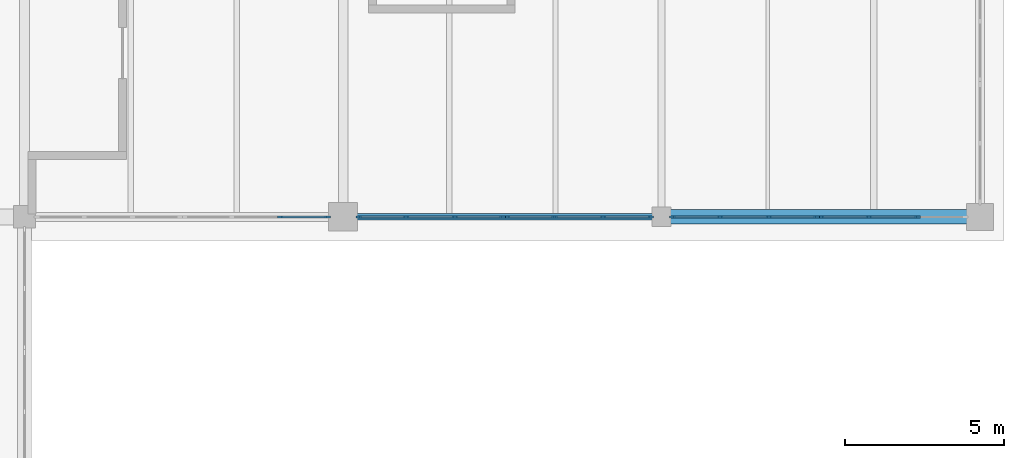
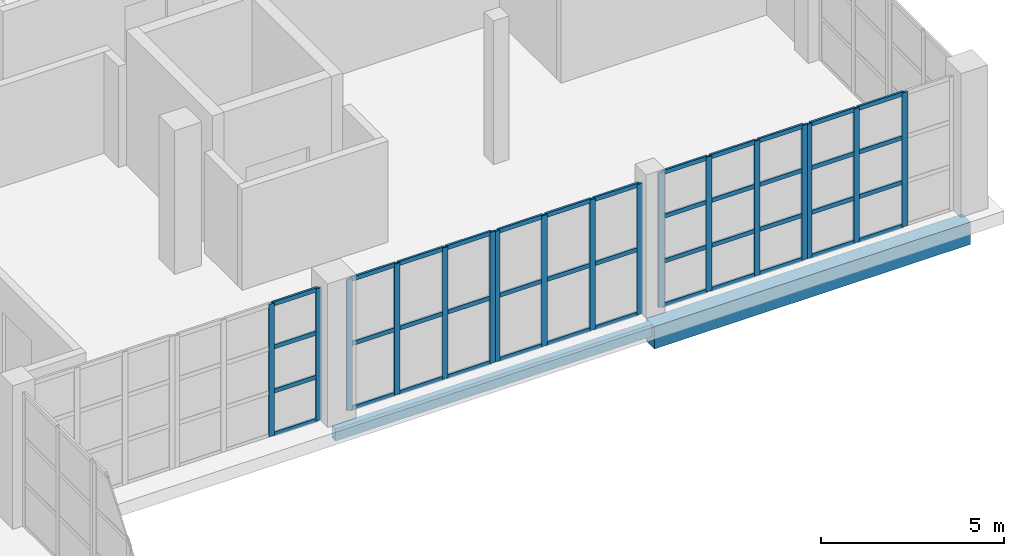
# One storey, part 64 of 121: 59 members, 2 beams, 5 elements without a shape of their own.
"""IFC4 building model written with IfcOpenShell, lengths in metres."""

import ifcopenshell
import ifcopenshell.guid

model = None  # the IFC model being written
_history = None  # IfcOwnerHistory: only IFC2X3 demands one
_inside = {}  # id of a spatial element -> (the spatial element, [elements in it])
_under = {}  # id of a project, library or spatial element -> (it, [spatial elements below it])
_declared = {}  # id of a project -> (the project, [libraries it declares])
_typed = {}  # id of a type object -> (the type object, [elements of that type])
_made_of = {}  # id of a material, layer set ... -> (it, [elements and type objects made of it])


def new_model(schema):
    """Start an empty IFC model of exactly this schema.

    Asked for "IFC4X3", IfcOpenShell would pick the latest addendum, in which some entities
    have other attributes; the version numbers below select the first issue.
    IFC2X3 requires an IfcOwnerHistory on every rooted entity: one is made here for all.
    """
    global model, _history
    if schema == "IFC4X3":
        model = ifcopenshell.file(schema_version=(4, 3, 0, 0))
    else:
        model = ifcopenshell.file(schema=schema)
    _inside.clear()
    _under.clear()
    _declared.clear()
    _typed.clear()
    _made_of.clear()
    _history = None
    if model.schema == "IFC2X3":
        org = make("IfcOrganization", Name="unknown")
        user = make(
            "IfcPersonAndOrganization",
            ThePerson=make("IfcPerson", FamilyName="unknown"),
            TheOrganization=org,
        )
        app = make(
            "IfcApplication",
            ApplicationDeveloper=org,
            Version="unknown",
            ApplicationFullName="unknown",
            ApplicationIdentifier="unknown",
        )
        _history = make(
            "IfcOwnerHistory",
            OwningUser=user,
            OwningApplication=app,
            ChangeAction="ADDED",
            CreationDate=0,
        )
    return model


def make(cls, **values):
    """One entity of the class cls with the attributes given. An attribute that is None is left unset."""
    return model.create_entity(
        cls, **{name: value for name, value in values.items() if value is not None}
    )


def rooted(cls, **values):
    """An entity with a GlobalId (a new one), such as an element, a storey or a relation."""
    return make(cls, GlobalId=ifcopenshell.guid.new(), OwnerHistory=_history, **values)


def si_unit(unit_type, name, prefix=None):
    """IfcSIUnit, for example si_unit("LENGTHUNIT", "METRE", prefix="MILLI")."""
    return make("IfcSIUnit", UnitType=unit_type, Prefix=prefix, Name=name)


def assignment(units):
    """IfcUnitAssignment: the units of a project."""
    return None if units is None else make("IfcUnitAssignment", Units=units)


def point(xyz):
    """IfcCartesianPoint."""
    return None if xyz is None else make("IfcCartesianPoint", Coordinates=xyz)


def direction(xyz):
    """IfcDirection."""
    return None if xyz is None else make("IfcDirection", DirectionRatios=xyz)


def frame(location, z_axis=None, x_axis=None):
    """IfcAxis2Placement3D, a coordinate frame: its origin and axes. An axis left out is left unset."""
    return make(
        "IfcAxis2Placement3D",
        Location=point(location),
        Axis=direction(z_axis),
        RefDirection=direction(x_axis),
    )


def frame_2d(location, x_axis=None):
    """IfcAxis2Placement2D, a coordinate frame in the plane: its origin and x axis."""
    return make(
        "IfcAxis2Placement2D", Location=point(location), RefDirection=direction(x_axis)
    )


def origin():
    """The frame at (0, 0, 0) with its axes left unset."""
    return frame((0.0, 0.0, 0.0))


def origin_2d():
    """The frame at (0, 0) in the plane with its x axis left unset."""
    return frame_2d((0.0, 0.0))


def place(relative_to, where):
    """IfcLocalPlacement: puts the frame where relative to a parent placement (None: the world)."""
    return make(
        "IfcLocalPlacement", PlacementRelTo=relative_to, RelativePlacement=where
    )


def context(
    kind, dimensions, precision=None, world=None, true_north=None, identifier=None
):
    """IfcGeometricRepresentationContext, for example the 3D "Model" context."""
    return make(
        "IfcGeometricRepresentationContext",
        ContextIdentifier=identifier,
        ContextType=kind,
        CoordinateSpaceDimension=dimensions,
        Precision=precision,
        WorldCoordinateSystem=world,
        TrueNorth=true_north,
    )


def subcontext(parent, identifier, kind, view, scale=None):
    """IfcGeometricRepresentationSubContext, for example "Body" below "Model"."""
    return make(
        "IfcGeometricRepresentationSubContext",
        ContextIdentifier=identifier,
        ContextType=kind,
        ParentContext=parent,
        TargetScale=scale,
        TargetView=view,
    )


def project(units=None, contexts=None):
    """IfcProject with its units and contexts."""
    return rooted(
        "IfcProject",
        Name="project",
        RepresentationContexts=contexts,
        UnitsInContext=assignment(units),
    )


def spatial(cls, under=None, at=None, **own):
    """A site, building, storey or space (cls), placed at a placement, below another one or the project."""
    s = rooted(cls, ObjectPlacement=at, **own)
    if under is not None:
        _under.setdefault(under.id(), (under, []))[1].append(s)
    return s


def profile(cls, at=None, kind="AREA", **sizes):
    """A parametric profile (cls). Its sizes go by their IFC names, for example OverallWidth=200.0."""
    return make(cls, ProfileType=kind, Position=at, **sizes)


def rectangle(**sizes):
    """IfcRectangleProfileDef."""
    return profile("IfcRectangleProfileDef", **sizes)


def hollow_rectangle(**sizes):
    """IfcRectangleHollowProfileDef."""
    return profile("IfcRectangleHollowProfileDef", **sizes)


def extrude(swept, where, along, depth):
    """IfcExtrudedAreaSolid: the profile swept, set in the frame where, extruded along a direction by depth."""
    return make(
        "IfcExtrudedAreaSolid",
        SweptArea=swept,
        Position=where,
        ExtrudedDirection=direction(along),
        Depth=depth,
    )


def shape(context_of_items, identifier, shape_type, items):
    """IfcShapeRepresentation: the items that make up one representation, for example the "Body"."""
    return make(
        "IfcShapeRepresentation",
        ContextOfItems=context_of_items,
        RepresentationIdentifier=identifier,
        RepresentationType=shape_type,
        Items=items,
    )


def material(Name=None, Category=None):
    """IfcMaterial."""
    return make("IfcMaterial", Name=Name, Category=Category)


def layer(
    of_material, thickness, ventilated=None, Name=None, Category=None, Priority=None
):
    """IfcMaterialLayer: one layer of a wall or slab, of a material (None: an air gap)."""
    return make(
        "IfcMaterialLayer",
        Material=of_material,
        LayerThickness=thickness,
        IsVentilated=ventilated,
        Name=Name,
        Category=Category,
        Priority=Priority,
    )


def layer_set(layers, Name=None):
    """IfcMaterialLayerSet."""
    return make("IfcMaterialLayerSet", MaterialLayers=layers, LayerSetName=Name)


def material_profile(
    of_material, cross_section, Name=None, Category=None, Priority=None
):
    """IfcMaterialProfile: a cross section and its material."""
    return make(
        "IfcMaterialProfile",
        Name=Name,
        Material=of_material,
        Profile=cross_section,
        Priority=Priority,
        Category=Category,
    )


def profile_set(profiles, Name=None, composite=None):
    """IfcMaterialProfileSet."""
    return make(
        "IfcMaterialProfileSet",
        Name=Name,
        MaterialProfiles=profiles,
        CompositeProfile=composite,
    )


def made_of(thing, what):
    """Note that an element or type object is made of a material, layer set ...; save() writes the relation."""
    if what is not None:
        _made_of.setdefault(what.id(), (what, []))[1].append(thing)
    return thing


def type_object(cls, material=None, **own):
    """A type object (cls), such as IfcWallType, which elements share."""
    return made_of(rooted(cls, **own), material)


def element(
    cls,
    number,
    at=None,
    inside=None,
    cuts=None,
    type_object=None,
    material=None,
    context=None,
    identifier="Body",
    shape_type=None,
    held_by="IfcProductDefinitionShape",
    body=None,
    shapes=None,
    **own,
):
    """One element of the class cls, such as IfcWall. Its Tag is "e" and its number.

    at: its placement. inside: the storey or other place that contains it. cuts: it is an
    opening in that element (IfcRelVoidsElement). A single representation is given by context,
    identifier, shape_type and body (its items); several are given by shapes. held_by: the class
    of the entity that holds the representations. save() writes the other relations.
    """
    e = rooted(cls, Tag="e%d" % number, ObjectPlacement=at, **own)
    if body is not None:
        shapes = [shape(context, identifier, shape_type, body)]
    if shapes is not None:
        e.Representation = make(held_by, Representations=shapes)
    if inside is not None:
        _inside.setdefault(inside.id(), (inside, []))[1].append(e)
    if cuts is not None:
        rooted(
            "IfcRelVoidsElement", RelatingBuildingElement=cuts, RelatedOpeningElement=e
        )
    if type_object is not None:
        _typed.setdefault(type_object.id(), (type_object, []))[1].append(e)
    return made_of(e, material)


def aggregate(whole, parts):
    """IfcRelAggregates: a whole, such as a stair, and the parts it consists of."""
    return rooted("IfcRelAggregates", RelatingObject=whole, RelatedObjects=parts)


def save(model, path):
    """Write the relations noted so far, then the file.

    IfcRelAggregates (storeys below a building ...), IfcRelContainedInSpatialStructure (elements
    in a storey), IfcRelDefinesByType, IfcRelAssociatesMaterial and IfcRelDeclares: one each for
    every whole, place, type object, material and project.
    """
    for whole, parts in _under.values():
        aggregate(whole, parts)
    for where, things in _inside.values():
        rooted(
            "IfcRelContainedInSpatialStructure",
            RelatedElements=things,
            RelatingStructure=where,
        )
    for kind, things in _typed.values():
        rooted("IfcRelDefinesByType", RelatedObjects=things, RelatingType=kind)
    for what, things in _made_of.values():
        rooted("IfcRelAssociatesMaterial", RelatedObjects=things, RelatingMaterial=what)
    for by, libraries in _declared.values():
        rooted("IfcRelDeclares", RelatingContext=by, RelatedDefinitions=libraries)
    model.write(path)


model = new_model("IFC4")

# Units and contexts
model_context = context("Model", 3, precision=1e-05, world=origin(), true_north=direction((0.0, 1.0)))
body_context = subcontext(model_context, "Body", "Model", "MODEL_VIEW")
ifc_project = project(units=[si_unit("LENGTHUNIT", "METRE"), si_unit("AREAUNIT", "SQUARE_METRE"), si_unit("VOLUMEUNIT", "CUBIC_METRE"), si_unit("PLANEANGLEUNIT", "RADIAN"), si_unit("MASSUNIT", "GRAM", prefix="KILO")], contexts=[model_context])

# Site, building, storey
site_placement = place(None, origin())
site = spatial("IfcSite", under=ifc_project, at=site_placement, CompositionType="ELEMENT")
building_placement = place(site_placement, origin())
building = spatial("IfcBuilding", under=site, at=building_placement, Name="Zereglee Splitstone Museum", CompositionType="ELEMENT")
storey_placement = place(building_placement, origin())
storey = spatial("IfcBuildingStorey", under=building, at=storey_placement, Name="L00", CompositionType="ELEMENT", Elevation=0.0)

# Curtain wall, members
ifc_material_1 = material(Name="Triple-glazed low-E argon glass and bronze-anodised aluminium", Category="aluminium")
ifc_layer_1 = layer(ifc_material_1, 0.179931640625)
ifc_layer_set_1 = layer_set([ifc_layer_1], Name="Triple-glazed low-E argon glass and bronze-anodised aluminium")
curtain_wall_type_1 = type_object("IfcCurtainWallType", Name="CW-0455-442", PredefinedType="USERDEFINED", material=ifc_layer_set_1)
curtain_wall_1_placement = place(storey_placement, origin())
curtain_wall_1 = element("IfcCurtainWall", 1, at=curtain_wall_1_placement, inside=storey, type_object=curtain_wall_type_1, Name="Glazed Curtain Wall CW-0455-442 (L00)", ObjectType="GLAZED CURTAIN WALL", PredefinedType="USERDEFINED")
ifc_material_2 = material(Name="Thermally broken bronze-anodised aluminium", Category="aluminium")
ifc_material_profile_1 = material_profile(ifc_material_2, rectangle(XDim=0.06494140625, YDim=0.179931640625, at=origin_2d()), Name="CW MULL 65x180")
ifc_profile_set_1 = profile_set([ifc_material_profile_1], Name="Thermally broken bronze-anodised aluminium")
member_type_1 = type_object("IfcMemberType", Name="CWM-01", PredefinedType="MULLION", material=ifc_profile_set_1)
member_1_placement = place(storey_placement, frame((304.024658203125, 30.0, 0.0), z_axis=(0.0, 0.0, 1.0), x_axis=(0.0, 1.0, 0.0)))
member_1 = element("IfcMember", 2, at=member_1_placement, type_object=member_type_1, Name="CW-0455-442 mullion 3", PredefinedType="MULLION", context=body_context, shape_type="SweptSolid", body=[
    extrude(rectangle(XDim=0.06494140625, YDim=0.179931640625, at=origin_2d()), origin(), (0.0, 0.0, 1.0), 4.419921875),
])
member_2_placement = place(storey_placement, frame((305.509521484375, 30.0, 0.0), z_axis=(0.0, 0.0, 1.0), x_axis=(0.0, 1.0, 0.0)))
member_2 = element("IfcMember", 3, at=member_2_placement, type_object=member_type_1, Name="CW-0455-442 mullion 4", PredefinedType="MULLION", context=body_context, shape_type="SweptSolid", body=[
    extrude(rectangle(XDim=0.06494140625, YDim=0.179931640625, at=origin_2d()), origin(), (0.0, 0.0, 1.0), 4.419921875),
])

ifc_layer_2 = layer(ifc_material_1, 0.179931640625)
ifc_layer_set_2 = layer_set([ifc_layer_2], Name="Triple-glazed low-E argon glass and bronze-anodised aluminium")
curtain_wall_type_2 = type_object("IfcCurtainWallType", Name="CW-0458-438", PredefinedType="USERDEFINED", material=ifc_layer_set_2)
curtain_wall_2_placement = place(storey_placement, origin())
curtain_wall_2 = element("IfcCurtainWall", 4, at=curtain_wall_2_placement, inside=storey, type_object=curtain_wall_type_2, Name="Glazed Curtain Wall CW-0458-438 (L00)", ObjectType="GLAZED CURTAIN WALL", PredefinedType="USERDEFINED")
member_3_placement = place(storey_placement, frame((306.490478515625, 30.0, 0.0), z_axis=(0.0, 0.0, 1.0), x_axis=(0.0, 1.0, 0.0)))
member_3 = element("IfcMember", 5, at=member_3_placement, type_object=member_type_1, Name="CW-0458-438 mullion 1", PredefinedType="MULLION", context=body_context, shape_type="SweptSolid", body=[
    extrude(rectangle(XDim=0.06494140625, YDim=0.179931640625, at=origin_2d()), origin(), (0.0, 0.0, 1.0), 4.3798828125),
])
member_4_placement = place(storey_placement, frame((307.983642578125, 30.0, 0.0), z_axis=(0.0, 0.0, 1.0), x_axis=(0.0, 1.0, 0.0)))
member_4 = element("IfcMember", 6, at=member_4_placement, type_object=member_type_1, Name="CW-0458-438 mullion 2", PredefinedType="MULLION", context=body_context, shape_type="SweptSolid", body=[
    extrude(rectangle(XDim=0.06494140625, YDim=0.179931640625, at=origin_2d()), origin(), (0.0, 0.0, 1.0), 4.3798828125),
])
member_5_placement = place(storey_placement, frame((309.50927734375, 30.0, 0.0), z_axis=(0.0, 0.0, 1.0), x_axis=(0.0, 1.0, 0.0)))
member_5 = element("IfcMember", 7, at=member_5_placement, type_object=member_type_1, Name="CW-0458-438 mullion 3", PredefinedType="MULLION", context=body_context, shape_type="SweptSolid", body=[
    extrude(rectangle(XDim=0.06494140625, YDim=0.179931640625, at=origin_2d()), origin(), (0.0, 0.0, 1.0), 4.3798828125),
])
member_6_placement = place(storey_placement, frame((311.00244140625, 30.0, 0.0), z_axis=(0.0, 0.0, 1.0), x_axis=(0.0, 1.0, 0.0)))
member_6 = element("IfcMember", 8, at=member_6_placement, type_object=member_type_1, Name="CW-0458-438 mullion 4", PredefinedType="MULLION", context=body_context, shape_type="SweptSolid", body=[
    extrude(rectangle(XDim=0.06494140625, YDim=0.179931640625, at=origin_2d()), origin(), (0.0, 0.0, 1.0), 4.3798828125),
])

ifc_layer_3 = layer(ifc_material_1, 0.179931640625)
ifc_layer_set_3 = layer_set([ifc_layer_3], Name="Triple-glazed low-E argon glass and bronze-anodised aluminium")
curtain_wall_type_3 = type_object("IfcCurtainWallType", Name="CW-0458-436", PredefinedType="USERDEFINED", material=ifc_layer_set_3)
curtain_wall_3_placement = place(storey_placement, origin())
curtain_wall_3 = element("IfcCurtainWall", 9, at=curtain_wall_3_placement, inside=storey, type_object=curtain_wall_type_3, Name="Glazed Curtain Wall CW-0458-436 (L00)", ObjectType="GLAZED CURTAIN WALL", PredefinedType="USERDEFINED")
member_7_placement = place(storey_placement, frame((311.1474609375, 30.0, 0.0), z_axis=(0.0, 0.0, 1.0), x_axis=(0.0, 1.0, 0.0)))
member_7 = element("IfcMember", 10, at=member_7_placement, type_object=member_type_1, Name="CW-0458-436 mullion 1", PredefinedType="MULLION", context=body_context, shape_type="SweptSolid", body=[
    extrude(rectangle(XDim=0.06494140625, YDim=0.179931640625, at=origin_2d()), origin(), (0.0, 0.0, 1.0), 4.360107421875),
])
member_8_placement = place(storey_placement, frame((312.640625, 30.0, 0.0), z_axis=(0.0, 0.0, 1.0), x_axis=(0.0, 1.0, 0.0)))
member_8 = element("IfcMember", 11, at=member_8_placement, type_object=member_type_1, Name="CW-0458-436 mullion 2", PredefinedType="MULLION", context=body_context, shape_type="SweptSolid", body=[
    extrude(rectangle(XDim=0.06494140625, YDim=0.179931640625, at=origin_2d()), origin(), (0.0, 0.0, 1.0), 4.360107421875),
])
member_9_placement = place(storey_placement, frame((314.166259765625, 30.0, 0.0), z_axis=(0.0, 0.0, 1.0), x_axis=(0.0, 1.0, 0.0)))
member_9 = element("IfcMember", 12, at=member_9_placement, type_object=member_type_1, Name="CW-0458-436 mullion 3", PredefinedType="MULLION", context=body_context, shape_type="SweptSolid", body=[
    extrude(rectangle(XDim=0.06494140625, YDim=0.179931640625, at=origin_2d()), origin(), (0.0, 0.0, 1.0), 4.360107421875),
])
member_10_placement = place(storey_placement, frame((315.659423828125, 30.0, 0.0), z_axis=(0.0, 0.0, 1.0), x_axis=(0.0, 1.0, 0.0)))
member_10 = element("IfcMember", 13, at=member_10_placement, type_object=member_type_1, Name="CW-0458-436 mullion 4", PredefinedType="MULLION", context=body_context, shape_type="SweptSolid", body=[
    extrude(rectangle(XDim=0.06494140625, YDim=0.179931640625, at=origin_2d()), origin(), (0.0, 0.0, 1.0), 4.360107421875),
])

ifc_layer_4 = layer(ifc_material_1, 0.179931640625)
ifc_layer_set_4 = layer_set([ifc_layer_4], Name="Triple-glazed low-E argon glass and bronze-anodised aluminium")
curtain_wall_type_4 = type_object("IfcCurtainWallType", Name="CW-0459-450", PredefinedType="USERDEFINED", material=ifc_layer_set_4)
curtain_wall_4_placement = place(storey_placement, origin())
curtain_wall_4 = element("IfcCurtainWall", 14, at=curtain_wall_4_placement, inside=storey, type_object=curtain_wall_type_4, Name="Glazed Curtain Wall CW-0459-450 (L00)", ObjectType="GLAZED CURTAIN WALL", PredefinedType="USERDEFINED")
member_11_placement = place(storey_placement, frame((316.340576171875, 30.0, 0.0), z_axis=(0.0, 0.0, 1.0), x_axis=(0.0, 1.0, 0.0)))
member_11 = element("IfcMember", 15, at=member_11_placement, type_object=member_type_1, Name="CW-0459-450 mullion 1", PredefinedType="MULLION", context=body_context, shape_type="SweptSolid", body=[
    extrude(rectangle(XDim=0.06494140625, YDim=0.179931640625, at=origin_2d()), origin(), (0.0, 0.0, 1.0), 4.5),
])
member_12_placement = place(storey_placement, frame((317.837890625, 30.0, 0.0), z_axis=(0.0, 0.0, 1.0), x_axis=(0.0, 1.0, 0.0)))
member_12 = element("IfcMember", 16, at=member_12_placement, type_object=member_type_1, Name="CW-0459-450 mullion 2", PredefinedType="MULLION", context=body_context, shape_type="SweptSolid", body=[
    extrude(rectangle(XDim=0.06494140625, YDim=0.179931640625, at=origin_2d()), origin(), (0.0, 0.0, 1.0), 4.5),
])
member_13_placement = place(storey_placement, frame((319.36767578125, 30.0, 0.0), z_axis=(0.0, 0.0, 1.0), x_axis=(0.0, 1.0, 0.0)))
member_13 = element("IfcMember", 17, at=member_13_placement, type_object=member_type_1, Name="CW-0459-450 mullion 3", PredefinedType="MULLION", context=body_context, shape_type="SweptSolid", body=[
    extrude(rectangle(XDim=0.06494140625, YDim=0.179931640625, at=origin_2d()), origin(), (0.0, 0.0, 1.0), 4.5),
])
member_14_placement = place(storey_placement, frame((320.864990234375, 30.0, 0.0), z_axis=(0.0, 0.0, 1.0), x_axis=(0.0, 1.0, 0.0)))
member_14 = element("IfcMember", 18, at=member_14_placement, type_object=member_type_1, Name="CW-0459-450 mullion 4", PredefinedType="MULLION", context=body_context, shape_type="SweptSolid", body=[
    extrude(rectangle(XDim=0.06494140625, YDim=0.179931640625, at=origin_2d()), origin(), (0.0, 0.0, 1.0), 4.5),
])

ifc_layer_5 = layer(ifc_material_1, 0.179931640625)
ifc_layer_set_5 = layer_set([ifc_layer_5], Name="Triple-glazed low-E argon glass and bronze-anodised aluminium")
curtain_wall_type_5 = type_object("IfcCurtainWallType", Name="CW-0459-448", PredefinedType="USERDEFINED", material=ifc_layer_set_5)
curtain_wall_5_placement = place(storey_placement, origin())
curtain_wall_5 = element("IfcCurtainWall", 19, at=curtain_wall_5_placement, inside=storey, type_object=curtain_wall_type_5, Name="Glazed Curtain Wall CW-0459-448 (L00)", ObjectType="GLAZED CURTAIN WALL", PredefinedType="USERDEFINED")
member_15_placement = place(storey_placement, frame((321.010009765625, 30.0, 0.0), z_axis=(0.0, 0.0, 1.0), x_axis=(0.0, 1.0, 0.0)))
member_15 = element("IfcMember", 20, at=member_15_placement, type_object=member_type_1, Name="CW-0459-448 mullion 1", PredefinedType="MULLION", context=body_context, shape_type="SweptSolid", body=[
    extrude(rectangle(XDim=0.06494140625, YDim=0.179931640625, at=origin_2d()), origin(), (0.0, 0.0, 1.0), 4.47998046875),
])
member_16_placement = place(storey_placement, frame((322.50732421875, 30.0, 0.0), z_axis=(0.0, 0.0, 1.0), x_axis=(0.0, 1.0, 0.0)))
member_16 = element("IfcMember", 21, at=member_16_placement, type_object=member_type_1, Name="CW-0459-448 mullion 2", PredefinedType="MULLION", context=body_context, shape_type="SweptSolid", body=[
    extrude(rectangle(XDim=0.06494140625, YDim=0.179931640625, at=origin_2d()), origin(), (0.0, 0.0, 1.0), 4.47998046875),
])
member_17_placement = place(storey_placement, frame((324.037109375, 30.0, 0.0), z_axis=(0.0, 0.0, 1.0), x_axis=(0.0, 1.0, 0.0)))
member_17 = element("IfcMember", 22, at=member_17_placement, type_object=member_type_1, Name="CW-0459-448 mullion 3", PredefinedType="MULLION", context=body_context, shape_type="SweptSolid", body=[
    extrude(rectangle(XDim=0.06494140625, YDim=0.179931640625, at=origin_2d()), origin(), (0.0, 0.0, 1.0), 4.47998046875),
])

# Member
ifc_material_profile_2 = material_profile(ifc_material_2, rectangle(XDim=0.06494140625, YDim=0.139892578125, at=origin_2d()), Name="CW TRAN 65x140")
ifc_profile_set_2 = profile_set([ifc_material_profile_2], Name="Thermally broken bronze-anodised aluminium")
member_type_2 = type_object("IfcMemberType", Name="CWT-01", PredefinedType="USERDEFINED", material=ifc_profile_set_2)
member_18_placement = place(storey_placement, frame((304.05712890625, 30.0, 0.032470703125), z_axis=(1.0, 0.0, 0.0), x_axis=(0.0, 1.0, 0.0)))
member_18 = element("IfcMember", 23, at=member_18_placement, type_object=member_type_2, Name="CW-0455-442 transom 3.1", ObjectType="TRANSOM", PredefinedType="USERDEFINED", context=body_context, shape_type="SweptSolid", body=[
    extrude(rectangle(XDim=0.06494140625, YDim=0.139892578125, at=origin_2d()), origin(), (0.0, 0.0, 1.0), 1.419921875),
])

member_19_placement = place(storey_placement, frame((304.05712890625, 30.0, 1.473388671875), z_axis=(1.0, 0.0, 0.0), x_axis=(0.0, 1.0, 0.0)))
member_19 = element("IfcMember", 24, at=member_19_placement, type_object=member_type_2, Name="CW-0455-442 transom 3.2", ObjectType="TRANSOM", PredefinedType="USERDEFINED", context=body_context, shape_type="SweptSolid", body=[
    extrude(rectangle(XDim=0.06494140625, YDim=0.139892578125, at=origin_2d()), origin(), (0.0, 0.0, 1.0), 1.419921875),
])

member_20_placement = place(storey_placement, frame((304.05712890625, 30.0, 2.94677734375), z_axis=(1.0, 0.0, 0.0), x_axis=(0.0, 1.0, 0.0)))
member_20 = element("IfcMember", 25, at=member_20_placement, type_object=member_type_2, Name="CW-0455-442 transom 3.3", ObjectType="TRANSOM", PredefinedType="USERDEFINED", context=body_context, shape_type="SweptSolid", body=[
    extrude(rectangle(XDim=0.06494140625, YDim=0.139892578125, at=origin_2d()), origin(), (0.0, 0.0, 1.0), 1.419921875),
])

member_21_placement = place(storey_placement, frame((304.05712890625, 30.0, 4.387451171875), z_axis=(1.0, 0.0, 0.0), x_axis=(0.0, 1.0, 0.0)))
member_21 = element("IfcMember", 26, at=member_21_placement, type_object=member_type_2, Name="CW-0455-442 transom 3.4", ObjectType="TRANSOM", PredefinedType="USERDEFINED", context=body_context, shape_type="SweptSolid", body=[
    extrude(rectangle(XDim=0.06494140625, YDim=0.139892578125, at=origin_2d()), origin(), (0.0, 0.0, 1.0), 1.419921875),
])

aggregate(curtain_wall_1, [member_1, member_2, member_18, member_19, member_20, member_21])

member_22_placement = place(storey_placement, frame((306.52294921875, 30.0, 0.032470703125), z_axis=(1.0, 0.0, 0.0), x_axis=(0.0, 1.0, 0.0)))
member_22 = element("IfcMember", 27, at=member_22_placement, type_object=member_type_2, Name="CW-0458-438 transom 1.1", ObjectType="TRANSOM", PredefinedType="USERDEFINED", context=body_context, shape_type="SweptSolid", body=[
    extrude(rectangle(XDim=0.06494140625, YDim=0.139892578125, at=origin_2d()), origin(), (0.0, 0.0, 1.0), 1.42822265625),
])

member_23_placement = place(storey_placement, frame((306.52294921875, 30.0, 2.18994140625), z_axis=(1.0, 0.0, 0.0), x_axis=(0.0, 1.0, 0.0)))
member_23 = element("IfcMember", 28, at=member_23_placement, type_object=member_type_2, Name="CW-0458-438 transom 1.2", ObjectType="TRANSOM", PredefinedType="USERDEFINED", context=body_context, shape_type="SweptSolid", body=[
    extrude(rectangle(XDim=0.06494140625, YDim=0.139892578125, at=origin_2d()), origin(), (0.0, 0.0, 1.0), 1.42822265625),
])

member_24_placement = place(storey_placement, frame((306.52294921875, 30.0, 4.347412109375), z_axis=(1.0, 0.0, 0.0), x_axis=(0.0, 1.0, 0.0)))
member_24 = element("IfcMember", 29, at=member_24_placement, type_object=member_type_2, Name="CW-0458-438 transom 1.3", ObjectType="TRANSOM", PredefinedType="USERDEFINED", context=body_context, shape_type="SweptSolid", body=[
    extrude(rectangle(XDim=0.06494140625, YDim=0.139892578125, at=origin_2d()), origin(), (0.0, 0.0, 1.0), 1.42822265625),
])

member_25_placement = place(storey_placement, frame((308.01611328125, 30.0, 0.032470703125), z_axis=(1.0, 0.0, 0.0), x_axis=(0.0, 1.0, 0.0)))
member_25 = element("IfcMember", 30, at=member_25_placement, type_object=member_type_2, Name="CW-0458-438 transom 2.1", ObjectType="TRANSOM", PredefinedType="USERDEFINED", context=body_context, shape_type="SweptSolid", body=[
    extrude(rectangle(XDim=0.06494140625, YDim=0.139892578125, at=origin_2d()), origin(), (0.0, 0.0, 1.0), 1.460693359375),
])

member_26_placement = place(storey_placement, frame((308.01611328125, 30.0, 2.18994140625), z_axis=(1.0, 0.0, 0.0), x_axis=(0.0, 1.0, 0.0)))
member_26 = element("IfcMember", 31, at=member_26_placement, type_object=member_type_2, Name="CW-0458-438 transom 2.2", ObjectType="TRANSOM", PredefinedType="USERDEFINED", context=body_context, shape_type="SweptSolid", body=[
    extrude(rectangle(XDim=0.06494140625, YDim=0.139892578125, at=origin_2d()), origin(), (0.0, 0.0, 1.0), 1.460693359375),
])

member_27_placement = place(storey_placement, frame((308.01611328125, 30.0, 4.347412109375), z_axis=(1.0, 0.0, 0.0), x_axis=(0.0, 1.0, 0.0)))
member_27 = element("IfcMember", 32, at=member_27_placement, type_object=member_type_2, Name="CW-0458-438 transom 2.3", ObjectType="TRANSOM", PredefinedType="USERDEFINED", context=body_context, shape_type="SweptSolid", body=[
    extrude(rectangle(XDim=0.06494140625, YDim=0.139892578125, at=origin_2d()), origin(), (0.0, 0.0, 1.0), 1.460693359375),
])

member_28_placement = place(storey_placement, frame((309.541748046875, 30.0, 0.032470703125), z_axis=(1.0, 0.0, 0.0), x_axis=(0.0, 1.0, 0.0)))
member_28 = element("IfcMember", 33, at=member_28_placement, type_object=member_type_2, Name="CW-0458-438 transom 3.1", ObjectType="TRANSOM", PredefinedType="USERDEFINED", context=body_context, shape_type="SweptSolid", body=[
    extrude(rectangle(XDim=0.06494140625, YDim=0.139892578125, at=origin_2d()), origin(), (0.0, 0.0, 1.0), 1.42822265625),
])

member_29_placement = place(storey_placement, frame((309.541748046875, 30.0, 2.18994140625), z_axis=(1.0, 0.0, 0.0), x_axis=(0.0, 1.0, 0.0)))
member_29 = element("IfcMember", 34, at=member_29_placement, type_object=member_type_2, Name="CW-0458-438 transom 3.2", ObjectType="TRANSOM", PredefinedType="USERDEFINED", context=body_context, shape_type="SweptSolid", body=[
    extrude(rectangle(XDim=0.06494140625, YDim=0.139892578125, at=origin_2d()), origin(), (0.0, 0.0, 1.0), 1.42822265625),
])

member_30_placement = place(storey_placement, frame((309.541748046875, 30.0, 4.347412109375), z_axis=(1.0, 0.0, 0.0), x_axis=(0.0, 1.0, 0.0)))
member_30 = element("IfcMember", 35, at=member_30_placement, type_object=member_type_2, Name="CW-0458-438 transom 3.3", ObjectType="TRANSOM", PredefinedType="USERDEFINED", context=body_context, shape_type="SweptSolid", body=[
    extrude(rectangle(XDim=0.06494140625, YDim=0.139892578125, at=origin_2d()), origin(), (0.0, 0.0, 1.0), 1.42822265625),
])

aggregate(curtain_wall_2, [member_3, member_4, member_5, member_6, member_22, member_23, member_24, member_25, member_26, member_27, member_28, member_29, member_30])

member_31_placement = place(storey_placement, frame((311.179931640625, 30.0, 0.032470703125), z_axis=(1.0, 0.0, 0.0), x_axis=(0.0, 1.0, 0.0)))
member_31 = element("IfcMember", 36, at=member_31_placement, type_object=member_type_2, Name="CW-0458-436 transom 1.1", ObjectType="TRANSOM", PredefinedType="USERDEFINED", context=body_context, shape_type="SweptSolid", body=[
    extrude(rectangle(XDim=0.06494140625, YDim=0.139892578125, at=origin_2d()), origin(), (0.0, 0.0, 1.0), 1.42822265625),
])

member_32_placement = place(storey_placement, frame((311.179931640625, 30.0, 2.179931640625), z_axis=(1.0, 0.0, 0.0), x_axis=(0.0, 1.0, 0.0)))
member_32 = element("IfcMember", 37, at=member_32_placement, type_object=member_type_2, Name="CW-0458-436 transom 1.2", ObjectType="TRANSOM", PredefinedType="USERDEFINED", context=body_context, shape_type="SweptSolid", body=[
    extrude(rectangle(XDim=0.06494140625, YDim=0.139892578125, at=origin_2d()), origin(), (0.0, 0.0, 1.0), 1.42822265625),
])

member_33_placement = place(storey_placement, frame((311.179931640625, 30.0, 4.327392578125), z_axis=(1.0, 0.0, 0.0), x_axis=(0.0, 1.0, 0.0)))
member_33 = element("IfcMember", 38, at=member_33_placement, type_object=member_type_2, Name="CW-0458-436 transom 1.3", ObjectType="TRANSOM", PredefinedType="USERDEFINED", context=body_context, shape_type="SweptSolid", body=[
    extrude(rectangle(XDim=0.06494140625, YDim=0.139892578125, at=origin_2d()), origin(), (0.0, 0.0, 1.0), 1.42822265625),
])

member_34_placement = place(storey_placement, frame((312.673095703125, 30.0, 0.032470703125), z_axis=(1.0, 0.0, 0.0), x_axis=(0.0, 1.0, 0.0)))
member_34 = element("IfcMember", 39, at=member_34_placement, type_object=member_type_2, Name="CW-0458-436 transom 2.1", ObjectType="TRANSOM", PredefinedType="USERDEFINED", context=body_context, shape_type="SweptSolid", body=[
    extrude(rectangle(XDim=0.06494140625, YDim=0.139892578125, at=origin_2d()), origin(), (0.0, 0.0, 1.0), 1.460693359375),
])

member_35_placement = place(storey_placement, frame((312.673095703125, 30.0, 2.179931640625), z_axis=(1.0, 0.0, 0.0), x_axis=(0.0, 1.0, 0.0)))
member_35 = element("IfcMember", 40, at=member_35_placement, type_object=member_type_2, Name="CW-0458-436 transom 2.2", ObjectType="TRANSOM", PredefinedType="USERDEFINED", context=body_context, shape_type="SweptSolid", body=[
    extrude(rectangle(XDim=0.06494140625, YDim=0.139892578125, at=origin_2d()), origin(), (0.0, 0.0, 1.0), 1.460693359375),
])

member_36_placement = place(storey_placement, frame((312.673095703125, 30.0, 4.327392578125), z_axis=(1.0, 0.0, 0.0), x_axis=(0.0, 1.0, 0.0)))
member_36 = element("IfcMember", 41, at=member_36_placement, type_object=member_type_2, Name="CW-0458-436 transom 2.3", ObjectType="TRANSOM", PredefinedType="USERDEFINED", context=body_context, shape_type="SweptSolid", body=[
    extrude(rectangle(XDim=0.06494140625, YDim=0.139892578125, at=origin_2d()), origin(), (0.0, 0.0, 1.0), 1.460693359375),
])

member_37_placement = place(storey_placement, frame((314.19873046875, 30.0, 0.032470703125), z_axis=(1.0, 0.0, 0.0), x_axis=(0.0, 1.0, 0.0)))
member_37 = element("IfcMember", 42, at=member_37_placement, type_object=member_type_2, Name="CW-0458-436 transom 3.1", ObjectType="TRANSOM", PredefinedType="USERDEFINED", context=body_context, shape_type="SweptSolid", body=[
    extrude(rectangle(XDim=0.06494140625, YDim=0.139892578125, at=origin_2d()), origin(), (0.0, 0.0, 1.0), 1.42822265625),
])

member_38_placement = place(storey_placement, frame((314.19873046875, 30.0, 2.179931640625), z_axis=(1.0, 0.0, 0.0), x_axis=(0.0, 1.0, 0.0)))
member_38 = element("IfcMember", 43, at=member_38_placement, type_object=member_type_2, Name="CW-0458-436 transom 3.2", ObjectType="TRANSOM", PredefinedType="USERDEFINED", context=body_context, shape_type="SweptSolid", body=[
    extrude(rectangle(XDim=0.06494140625, YDim=0.139892578125, at=origin_2d()), origin(), (0.0, 0.0, 1.0), 1.42822265625),
])

member_39_placement = place(storey_placement, frame((314.19873046875, 30.0, 4.327392578125), z_axis=(1.0, 0.0, 0.0), x_axis=(0.0, 1.0, 0.0)))
member_39 = element("IfcMember", 44, at=member_39_placement, type_object=member_type_2, Name="CW-0458-436 transom 3.3", ObjectType="TRANSOM", PredefinedType="USERDEFINED", context=body_context, shape_type="SweptSolid", body=[
    extrude(rectangle(XDim=0.06494140625, YDim=0.139892578125, at=origin_2d()), origin(), (0.0, 0.0, 1.0), 1.42822265625),
])

aggregate(curtain_wall_3, [member_7, member_8, member_9, member_10, member_31, member_32, member_33, member_34, member_35, member_36, member_37, member_38, member_39])

member_40_placement = place(storey_placement, frame((316.373046875, 30.0, 0.032470703125), z_axis=(1.0, 0.0, 0.0), x_axis=(0.0, 1.0, 0.0)))
member_40 = element("IfcMember", 45, at=member_40_placement, type_object=member_type_2, Name="CW-0459-450 transom 1.1", ObjectType="TRANSOM", PredefinedType="USERDEFINED", context=body_context, shape_type="SweptSolid", body=[
    extrude(rectangle(XDim=0.06494140625, YDim=0.139892578125, at=origin_2d()), origin(), (0.0, 0.0, 1.0), 1.432373046875),
])

member_41_placement = place(storey_placement, frame((316.373046875, 30.0, 1.5), z_axis=(1.0, 0.0, 0.0), x_axis=(0.0, 1.0, 0.0)))
member_41 = element("IfcMember", 46, at=member_41_placement, type_object=member_type_2, Name="CW-0459-450 transom 1.2", ObjectType="TRANSOM", PredefinedType="USERDEFINED", context=body_context, shape_type="SweptSolid", body=[
    extrude(rectangle(XDim=0.06494140625, YDim=0.139892578125, at=origin_2d()), origin(), (0.0, 0.0, 1.0), 1.432373046875),
])

member_42_placement = place(storey_placement, frame((316.373046875, 30.0, 3.0), z_axis=(1.0, 0.0, 0.0), x_axis=(0.0, 1.0, 0.0)))
member_42 = element("IfcMember", 47, at=member_42_placement, type_object=member_type_2, Name="CW-0459-450 transom 1.3", ObjectType="TRANSOM", PredefinedType="USERDEFINED", context=body_context, shape_type="SweptSolid", body=[
    extrude(rectangle(XDim=0.06494140625, YDim=0.139892578125, at=origin_2d()), origin(), (0.0, 0.0, 1.0), 1.432373046875),
])

member_43_placement = place(storey_placement, frame((316.373046875, 30.0, 4.467529296875), z_axis=(1.0, 0.0, 0.0), x_axis=(0.0, 1.0, 0.0)))
member_43 = element("IfcMember", 48, at=member_43_placement, type_object=member_type_2, Name="CW-0459-450 transom 1.4", ObjectType="TRANSOM", PredefinedType="USERDEFINED", context=body_context, shape_type="SweptSolid", body=[
    extrude(rectangle(XDim=0.06494140625, YDim=0.139892578125, at=origin_2d()), origin(), (0.0, 0.0, 1.0), 1.432373046875),
])

member_44_placement = place(storey_placement, frame((317.870361328125, 30.0, 0.032470703125), z_axis=(1.0, 0.0, 0.0), x_axis=(0.0, 1.0, 0.0)))
member_44 = element("IfcMember", 49, at=member_44_placement, type_object=member_type_2, Name="CW-0459-450 transom 2.1", ObjectType="TRANSOM", PredefinedType="USERDEFINED", context=body_context, shape_type="SweptSolid", body=[
    extrude(rectangle(XDim=0.06494140625, YDim=0.139892578125, at=origin_2d()), origin(), (0.0, 0.0, 1.0), 1.46484375),
])

member_45_placement = place(storey_placement, frame((317.870361328125, 30.0, 1.5), z_axis=(1.0, 0.0, 0.0), x_axis=(0.0, 1.0, 0.0)))
member_45 = element("IfcMember", 50, at=member_45_placement, type_object=member_type_2, Name="CW-0459-450 transom 2.2", ObjectType="TRANSOM", PredefinedType="USERDEFINED", context=body_context, shape_type="SweptSolid", body=[
    extrude(rectangle(XDim=0.06494140625, YDim=0.139892578125, at=origin_2d()), origin(), (0.0, 0.0, 1.0), 1.46484375),
])

member_46_placement = place(storey_placement, frame((317.870361328125, 30.0, 3.0), z_axis=(1.0, 0.0, 0.0), x_axis=(0.0, 1.0, 0.0)))
member_46 = element("IfcMember", 51, at=member_46_placement, type_object=member_type_2, Name="CW-0459-450 transom 2.3", ObjectType="TRANSOM", PredefinedType="USERDEFINED", context=body_context, shape_type="SweptSolid", body=[
    extrude(rectangle(XDim=0.06494140625, YDim=0.139892578125, at=origin_2d()), origin(), (0.0, 0.0, 1.0), 1.46484375),
])

member_47_placement = place(storey_placement, frame((317.870361328125, 30.0, 4.467529296875), z_axis=(1.0, 0.0, 0.0), x_axis=(0.0, 1.0, 0.0)))
member_47 = element("IfcMember", 52, at=member_47_placement, type_object=member_type_2, Name="CW-0459-450 transom 2.4", ObjectType="TRANSOM", PredefinedType="USERDEFINED", context=body_context, shape_type="SweptSolid", body=[
    extrude(rectangle(XDim=0.06494140625, YDim=0.139892578125, at=origin_2d()), origin(), (0.0, 0.0, 1.0), 1.46484375),
])

member_48_placement = place(storey_placement, frame((319.400146484375, 30.0, 0.032470703125), z_axis=(1.0, 0.0, 0.0), x_axis=(0.0, 1.0, 0.0)))
member_48 = element("IfcMember", 53, at=member_48_placement, type_object=member_type_2, Name="CW-0459-450 transom 3.1", ObjectType="TRANSOM", PredefinedType="USERDEFINED", context=body_context, shape_type="SweptSolid", body=[
    extrude(rectangle(XDim=0.06494140625, YDim=0.139892578125, at=origin_2d()), origin(), (0.0, 0.0, 1.0), 1.432373046875),
])

member_49_placement = place(storey_placement, frame((319.400146484375, 30.0, 1.5), z_axis=(1.0, 0.0, 0.0), x_axis=(0.0, 1.0, 0.0)))
member_49 = element("IfcMember", 54, at=member_49_placement, type_object=member_type_2, Name="CW-0459-450 transom 3.2", ObjectType="TRANSOM", PredefinedType="USERDEFINED", context=body_context, shape_type="SweptSolid", body=[
    extrude(rectangle(XDim=0.06494140625, YDim=0.139892578125, at=origin_2d()), origin(), (0.0, 0.0, 1.0), 1.432373046875),
])

member_50_placement = place(storey_placement, frame((319.400146484375, 30.0, 3.0), z_axis=(1.0, 0.0, 0.0), x_axis=(0.0, 1.0, 0.0)))
member_50 = element("IfcMember", 55, at=member_50_placement, type_object=member_type_2, Name="CW-0459-450 transom 3.3", ObjectType="TRANSOM", PredefinedType="USERDEFINED", context=body_context, shape_type="SweptSolid", body=[
    extrude(rectangle(XDim=0.06494140625, YDim=0.139892578125, at=origin_2d()), origin(), (0.0, 0.0, 1.0), 1.432373046875),
])

member_51_placement = place(storey_placement, frame((319.400146484375, 30.0, 4.467529296875), z_axis=(1.0, 0.0, 0.0), x_axis=(0.0, 1.0, 0.0)))
member_51 = element("IfcMember", 56, at=member_51_placement, type_object=member_type_2, Name="CW-0459-450 transom 3.4", ObjectType="TRANSOM", PredefinedType="USERDEFINED", context=body_context, shape_type="SweptSolid", body=[
    extrude(rectangle(XDim=0.06494140625, YDim=0.139892578125, at=origin_2d()), origin(), (0.0, 0.0, 1.0), 1.432373046875),
])

aggregate(curtain_wall_4, [member_11, member_12, member_13, member_14, member_40, member_41, member_42, member_43, member_44, member_45, member_46, member_47, member_48, member_49, member_50, member_51])

member_52_placement = place(storey_placement, frame((321.04248046875, 30.0, 0.032470703125), z_axis=(1.0, 0.0, 0.0), x_axis=(0.0, 1.0, 0.0)))
member_52 = element("IfcMember", 57, at=member_52_placement, type_object=member_type_2, Name="CW-0459-448 transom 1.1", ObjectType="TRANSOM", PredefinedType="USERDEFINED", context=body_context, shape_type="SweptSolid", body=[
    extrude(rectangle(XDim=0.06494140625, YDim=0.139892578125, at=origin_2d()), origin(), (0.0, 0.0, 1.0), 1.432373046875),
])

member_53_placement = place(storey_placement, frame((321.04248046875, 30.0, 1.493408203125), z_axis=(1.0, 0.0, 0.0), x_axis=(0.0, 1.0, 0.0)))
member_53 = element("IfcMember", 58, at=member_53_placement, type_object=member_type_2, Name="CW-0459-448 transom 1.2", ObjectType="TRANSOM", PredefinedType="USERDEFINED", context=body_context, shape_type="SweptSolid", body=[
    extrude(rectangle(XDim=0.06494140625, YDim=0.139892578125, at=origin_2d()), origin(), (0.0, 0.0, 1.0), 1.432373046875),
])

member_54_placement = place(storey_placement, frame((321.04248046875, 30.0, 2.98681640625), z_axis=(1.0, 0.0, 0.0), x_axis=(0.0, 1.0, 0.0)))
member_54 = element("IfcMember", 59, at=member_54_placement, type_object=member_type_2, Name="CW-0459-448 transom 1.3", ObjectType="TRANSOM", PredefinedType="USERDEFINED", context=body_context, shape_type="SweptSolid", body=[
    extrude(rectangle(XDim=0.06494140625, YDim=0.139892578125, at=origin_2d()), origin(), (0.0, 0.0, 1.0), 1.432373046875),
])

member_55_placement = place(storey_placement, frame((321.04248046875, 30.0, 4.447509765625), z_axis=(1.0, 0.0, 0.0), x_axis=(0.0, 1.0, 0.0)))
member_55 = element("IfcMember", 60, at=member_55_placement, type_object=member_type_2, Name="CW-0459-448 transom 1.4", ObjectType="TRANSOM", PredefinedType="USERDEFINED", context=body_context, shape_type="SweptSolid", body=[
    extrude(rectangle(XDim=0.06494140625, YDim=0.139892578125, at=origin_2d()), origin(), (0.0, 0.0, 1.0), 1.432373046875),
])

member_56_placement = place(storey_placement, frame((322.539794921875, 30.0, 0.032470703125), z_axis=(1.0, 0.0, 0.0), x_axis=(0.0, 1.0, 0.0)))
member_56 = element("IfcMember", 61, at=member_56_placement, type_object=member_type_2, Name="CW-0459-448 transom 2.1", ObjectType="TRANSOM", PredefinedType="USERDEFINED", context=body_context, shape_type="SweptSolid", body=[
    extrude(rectangle(XDim=0.06494140625, YDim=0.139892578125, at=origin_2d()), origin(), (0.0, 0.0, 1.0), 1.46484375),
])

member_57_placement = place(storey_placement, frame((322.539794921875, 30.0, 1.493408203125), z_axis=(1.0, 0.0, 0.0), x_axis=(0.0, 1.0, 0.0)))
member_57 = element("IfcMember", 62, at=member_57_placement, type_object=member_type_2, Name="CW-0459-448 transom 2.2", ObjectType="TRANSOM", PredefinedType="USERDEFINED", context=body_context, shape_type="SweptSolid", body=[
    extrude(rectangle(XDim=0.06494140625, YDim=0.139892578125, at=origin_2d()), origin(), (0.0, 0.0, 1.0), 1.46484375),
])

member_58_placement = place(storey_placement, frame((322.539794921875, 30.0, 2.98681640625), z_axis=(1.0, 0.0, 0.0), x_axis=(0.0, 1.0, 0.0)))
member_58 = element("IfcMember", 63, at=member_58_placement, type_object=member_type_2, Name="CW-0459-448 transom 2.3", ObjectType="TRANSOM", PredefinedType="USERDEFINED", context=body_context, shape_type="SweptSolid", body=[
    extrude(rectangle(XDim=0.06494140625, YDim=0.139892578125, at=origin_2d()), origin(), (0.0, 0.0, 1.0), 1.46484375),
])

member_59_placement = place(storey_placement, frame((322.539794921875, 30.0, 4.447509765625), z_axis=(1.0, 0.0, 0.0), x_axis=(0.0, 1.0, 0.0)))
member_59 = element("IfcMember", 64, at=member_59_placement, type_object=member_type_2, Name="CW-0459-448 transom 2.4", ObjectType="TRANSOM", PredefinedType="USERDEFINED", context=body_context, shape_type="SweptSolid", body=[
    extrude(rectangle(XDim=0.06494140625, YDim=0.139892578125, at=origin_2d()), origin(), (0.0, 0.0, 1.0), 1.46484375),
])

aggregate(curtain_wall_5, [member_15, member_16, member_17, member_52, member_53, member_54, member_55, member_56, member_57, member_58, member_59])

# Beams
ifc_material_3 = material(Name="Concrete C40/50", Category="concrete")
ifc_material_profile_3 = material_profile(ifc_material_3, rectangle(XDim=0.449951171875, YDim=0.75, at=origin_2d()), Name="RC 450x750")
ifc_profile_set_3 = profile_set([ifc_material_profile_3], Name="Concrete C40/50")
beam_type_1 = type_object("IfcBeamType", Name="SP-01", PredefinedType="SPANDREL", material=ifc_profile_set_3)
beam_1_placement = place(storey_placement, frame((316.0, 30.0, -0.794921875), z_axis=(1.0, 0.0, 0.0), x_axis=(0.0, 1.0, 0.0)))
element("IfcBeam", 65, at=beam_1_placement, inside=storey, type_object=beam_type_1, Name="Primary Girder L00 D (316.0-326.0)", PredefinedType="SPANDREL", context=body_context, shape_type="SweptSolid", body=[
    extrude(rectangle(XDim=0.449951171875, YDim=0.75, at=origin_2d()), origin(), (0.0, 0.0, 1.0), 10.0),
])
ifc_material_4 = material(Name="Steel S355J2H", Category="steel")
ifc_material_profile_4 = material_profile(ifc_material_4, hollow_rectangle(XDim=0.199951171875, YDim=0.39990234375, WallThickness=0.01611328125, at=origin_2d()), Name="RHS 400x200x16")
ifc_profile_set_4 = profile_set([ifc_material_profile_4], Name="Steel S355J2H")
beam_type_2 = type_object("IfcBeamType", Name="SP-04", PredefinedType="SPANDREL", material=ifc_profile_set_4)
beam_2_placement = place(storey_placement, frame((306.0, 30.0, -0.6201171875), z_axis=(1.0, 0.0, 0.0), x_axis=(0.0, 1.0, 0.0)))
element("IfcBeam", 66, at=beam_2_placement, inside=storey, type_object=beam_type_2, Name="Primary Girder L00 D (306.0-316.0)", PredefinedType="SPANDREL", context=body_context, shape_type="SweptSolid", body=[
    extrude(hollow_rectangle(XDim=0.199951171875, YDim=0.39990234375, WallThickness=0.01611328125, at=origin_2d()), origin(), (0.0, 0.0, 1.0), 10.0),
])

save(model, "model.ifc")
